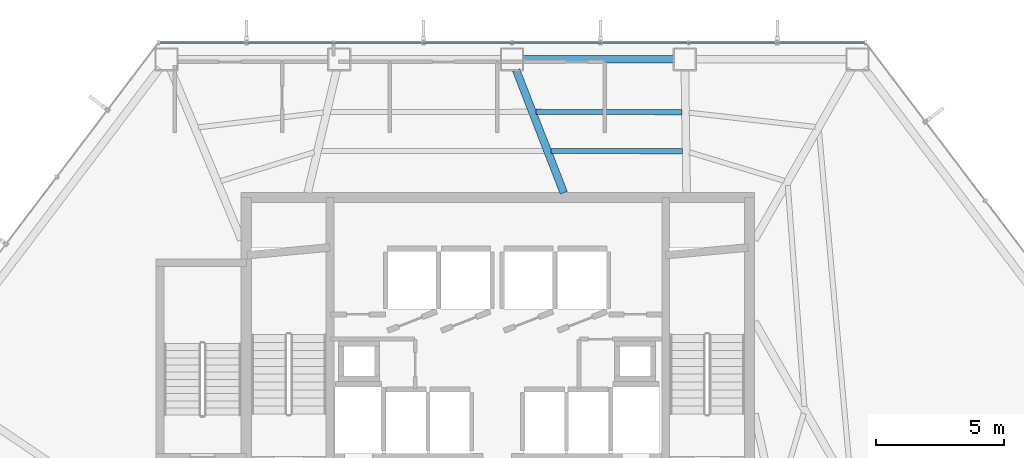
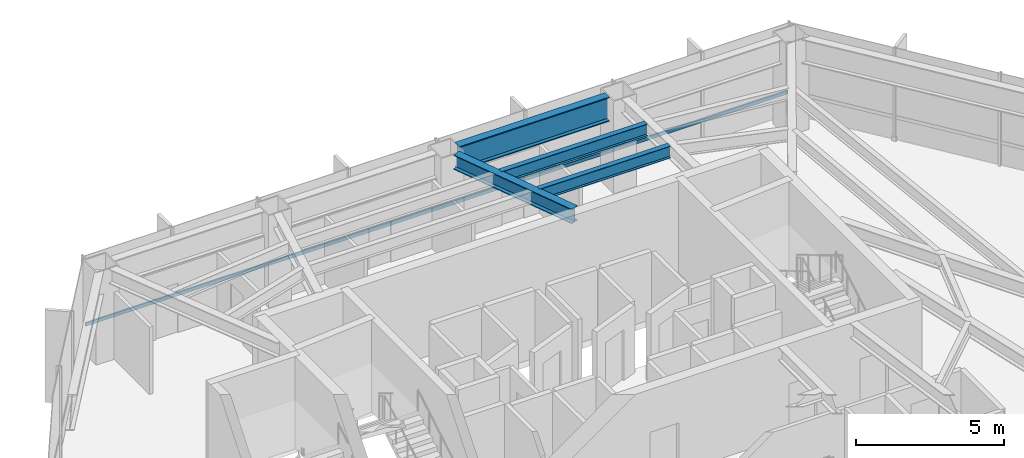
# One storey, part 12 of 24: 4 beams, 1 member, 1 element without a shape of its own.
"""IFC4 building model written with IfcOpenShell, lengths in metres."""

from ifc_helpers import new_model, si_unit, direction, frame, origin, origin_2d, place, context, subcontext, project, spatial, hollow_rectangle, i_section, extrude, material, layer, layer_set, material_profile, profile_set, type_object, element, aggregate, save


model = new_model("IFC4")

# Units and contexts
model_context = context("Model", 3, precision=1e-05, world=origin(), true_north=direction((0.0, 1.0)))
body_context = subcontext(model_context, "Body", "Model", "MODEL_VIEW")
ifc_project = project(units=[si_unit("LENGTHUNIT", "METRE"), si_unit("AREAUNIT", "SQUARE_METRE"), si_unit("VOLUMEUNIT", "CUBIC_METRE"), si_unit("PLANEANGLEUNIT", "RADIAN"), si_unit("MASSUNIT", "GRAM", prefix="KILO")], contexts=[model_context])

# Site, building, storey
site_placement = place(None, origin())
site = spatial("IfcSite", under=ifc_project, at=site_placement, CompositionType="ELEMENT")
building_placement = place(site_placement, origin())
building = spatial("IfcBuilding", under=site, at=building_placement, Name="Zarrinselat Tower", CompositionType="ELEMENT")
storey_placement = place(building_placement, frame((0.0, 0.0, 96.89990234375)))
storey = spatial("IfcBuildingStorey", under=building, at=storey_placement, Name="L23", CompositionType="ELEMENT", Elevation=96.89990234375)

# Beams
ifc_material_1 = material(Name="Steel S355J2", Category="steel")
ifc_material_profile_1 = material_profile(ifc_material_1, i_section(OverallWidth=0.300048828125, OverallDepth=0.60009765625, WebThickness=0.015380859375, FlangeThickness=0.030029296875, at=origin_2d()), Name="HEB 600")
ifc_profile_set_1 = profile_set([ifc_material_profile_1], Name="Steel S355J2")
beam_type_1 = type_object("IfcBeamType", Name="BM-HEB600", PredefinedType="BEAM", material=ifc_profile_set_1)
beam_1_placement = place(storey_placement, frame((39.142578125, 48.4287109375, 3.52001953125), z_axis=(0.361618079652, -0.932326318661, 0.0), x_axis=(0.932326318661, 0.361618079652, 0.0)))
element("IfcBeam", 1, at=beam_1_placement, inside=storey, type_object=beam_type_1, Name="L23 Radial Primary Girder RG03", PredefinedType="BEAM", context=body_context, shape_type="SweptSolid", body=[
    extrude(i_section(OverallWidth=0.300048828125, OverallDepth=0.60009765625, WebThickness=0.015380859375, FlangeThickness=0.030029296875, at=origin_2d()), origin(), (0.0, 0.0, 1.0), 5.136474609375),
])
ifc_material_2 = material(Name="Steel S460M", Category="steel")
ifc_material_profile_2 = material_profile(ifc_material_2, i_section(OverallWidth=0.302001953125, OverallDepth=1.008056640625, WebThickness=0.02099609375, FlangeThickness=0.0400390625, at=origin_2d()), Name="HEM 1000")
ifc_profile_set_2 = profile_set([ifc_material_profile_2], Name="Steel S460M")
beam_type_2 = type_object("IfcBeamType", Name="BM-HEM1000", PredefinedType="BEAM", material=ifc_profile_set_2)
beam_2_placement = place(storey_placement, frame((39.4169921875, 48.85009765625, 3.316162109375), z_axis=(1.0, 0.0, 0.0), x_axis=(0.0, 1.0, 0.0)))
element("IfcBeam", 2, at=beam_2_placement, inside=storey, type_object=beam_type_2, Name="L23 Perimeter Spandrel Girder SP02", PredefinedType="BEAM", context=body_context, shape_type="SweptSolid", body=[
    extrude(i_section(OverallWidth=0.302001953125, OverallDepth=1.008056640625, WebThickness=0.02099609375, FlangeThickness=0.0400390625, at=origin_2d()), origin(), (0.0, 0.0, 1.0), 5.870361328125),
])
ifc_material_3 = material(Name="Steel S355J2", Category="steel")
ifc_material_profile_3 = material_profile(ifc_material_3, i_section(OverallWidth=0.199951171875, OverallDepth=0.5, WebThickness=0.01025390625, FlangeThickness=0.01611328125, at=origin_2d()), Name="IPE 500")
ifc_profile_set_3 = profile_set([ifc_material_profile_3], Name="Steel S355J2")
beam_type_3 = type_object("IfcBeamType", Name="BM-IPE500", PredefinedType="JOIST", material=ifc_profile_set_3)
beam_3_placement = place(storey_placement, frame((39.9140625, 46.800048828125, 3.570068359375), z_axis=(0.999994277188, -0.003383133395, 0.0), x_axis=(0.003383133395, 0.999994277188, 0.0)))
element("IfcBeam", 3, at=beam_3_placement, inside=storey, type_object=beam_type_3, Name="L23 Composite Floor Joist 7-1", PredefinedType="JOIST", context=body_context, shape_type="SweptSolid", body=[
    extrude(i_section(OverallWidth=0.199951171875, OverallDepth=0.5, WebThickness=0.01025390625, FlangeThickness=0.01611328125, at=origin_2d()), origin(), (0.0, 0.0, 1.0), 5.700927734375),
])
beam_4_placement = place(storey_placement, frame((40.508544921875, 45.267822265625, 3.570068359375), z_axis=(0.99999818681, -0.001904305045, 0.0), x_axis=(0.001904305045, 0.99999818681, 0.0)))
element("IfcBeam", 4, at=beam_4_placement, inside=storey, type_object=beam_type_3, Name="L23 Composite Floor Joist 7-2", PredefinedType="JOIST", context=body_context, shape_type="SweptSolid", body=[
    extrude(i_section(OverallWidth=0.199951171875, OverallDepth=0.5, WebThickness=0.01025390625, FlangeThickness=0.01611328125, at=origin_2d()), origin(), (0.0, 0.0, 1.0), 5.128173828125),
])

# Curtain wall, member
ifc_material_4 = material(Name="Extruded Aluminium Alloy EN AW-6063 T6", Category="aluminium")
ifc_layer = layer(ifc_material_4, 0.18505859375)
ifc_layer_set = layer_set([ifc_layer], Name="Extruded Aluminium Alloy EN AW-6063 T6")
curtain_wall_type = type_object("IfcCurtainWallType", Name="CWS-OFF", PredefinedType="NOTDEFINED", material=ifc_layer_set)
curtain_wall_placement = place(storey_placement, origin())
curtain_wall = element("IfcCurtainWall", 5, at=curtain_wall_placement, inside=storey, type_object=curtain_wall_type, Name="L23 Unitised Curtain Wall CW-L23-E01", PredefinedType="NOTDEFINED")
ifc_material_5 = material(Name="Extruded Aluminium Alloy EN AW-6063 T6", Category="aluminium")
ifc_material_profile_4 = material_profile(ifc_material_5, hollow_rectangle(XDim=0.06005859375, YDim=0.139892578125, WallThickness=0.00390625, at=origin_2d()), Name="RHS 140x60x4")
ifc_profile_set_4 = profile_set([ifc_material_profile_4], Name="Extruded Aluminium Alloy EN AW-6063 T6")
member_type = type_object("IfcMemberType", Name="MEM-CW-TRN", PredefinedType="USERDEFINED", material=ifc_profile_set_4)
member_placement = place(storey_placement, frame((52.70458984375, 49.5, 0.9501953125), z_axis=(-1.0, 0.0, 0.0), x_axis=(0.0, -1.0, 0.0)))
member = element("IfcMember", 6, at=member_placement, type_object=member_type, Name="CW-L23-E01 Transom 1", ObjectType="TRANSOM", PredefinedType="USERDEFINED", context=body_context, shape_type="SweptSolid", body=[
    extrude(hollow_rectangle(XDim=0.06005859375, YDim=0.139892578125, WallThickness=0.00390625, at=origin_2d()), origin(), (0.0, 0.0, 1.0), 27.450927734375),
])
aggregate(curtain_wall, [member])

save(model, "model.ifc")
